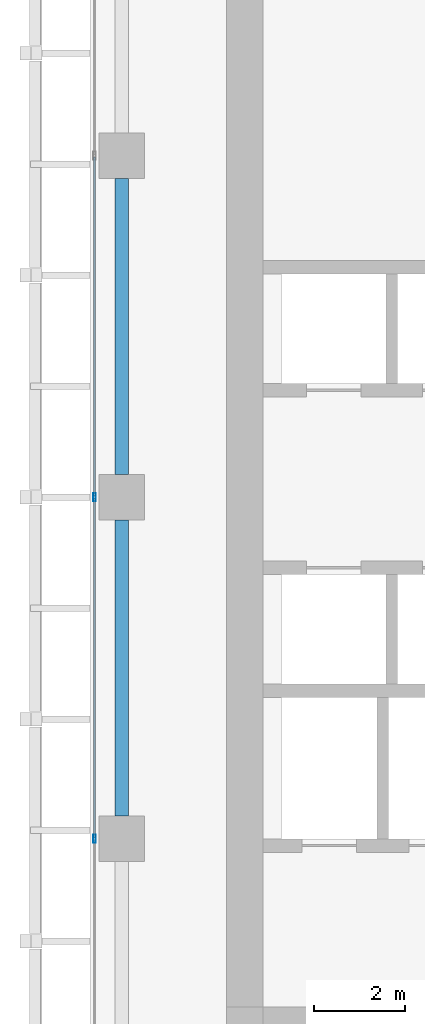
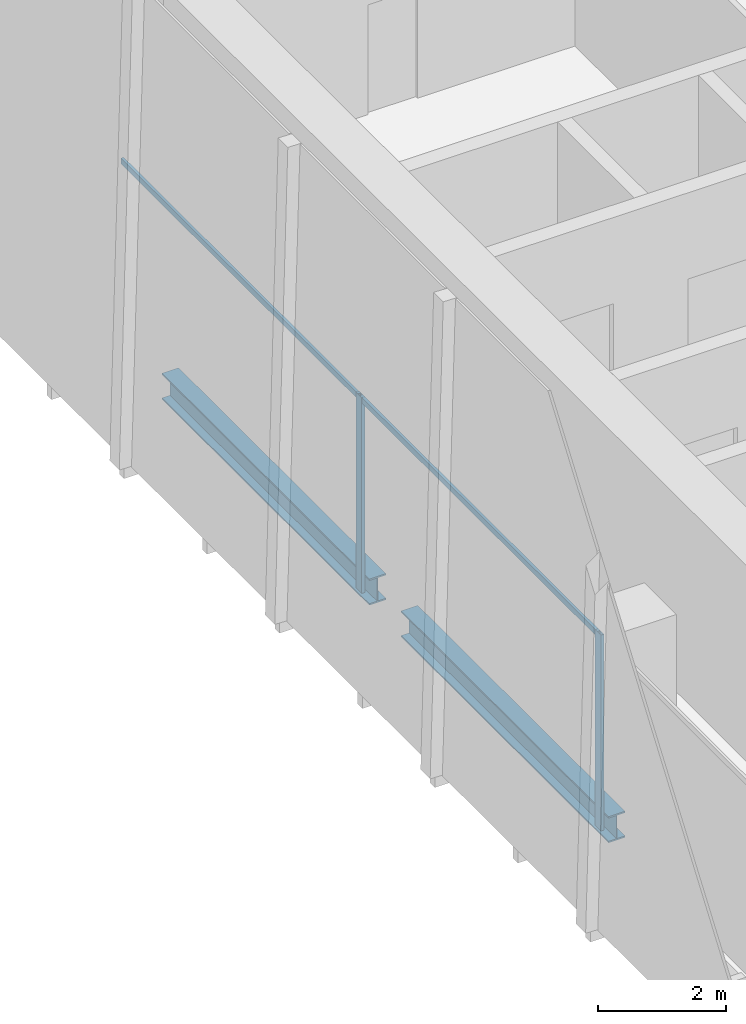
# One storey, part 7 of 35: 4 members, 2 beams, 1 element without a shape of its own.
"""IFC4 building model written with IfcOpenShell, lengths in metres."""

import ifcopenshell
import ifcopenshell.guid

model = None  # the IFC model being written
_history = None  # IfcOwnerHistory: only IFC2X3 demands one
_inside = {}  # id of a spatial element -> (the spatial element, [elements in it])
_under = {}  # id of a project, library or spatial element -> (it, [spatial elements below it])
_declared = {}  # id of a project -> (the project, [libraries it declares])
_typed = {}  # id of a type object -> (the type object, [elements of that type])
_made_of = {}  # id of a material, layer set ... -> (it, [elements and type objects made of it])


def new_model(schema):
    """Start an empty IFC model of exactly this schema.

    Asked for "IFC4X3", IfcOpenShell would pick the latest addendum, in which some entities
    have other attributes; the version numbers below select the first issue.
    IFC2X3 requires an IfcOwnerHistory on every rooted entity: one is made here for all.
    """
    global model, _history
    if schema == "IFC4X3":
        model = ifcopenshell.file(schema_version=(4, 3, 0, 0))
    else:
        model = ifcopenshell.file(schema=schema)
    _inside.clear()
    _under.clear()
    _declared.clear()
    _typed.clear()
    _made_of.clear()
    _history = None
    if model.schema == "IFC2X3":
        org = make("IfcOrganization", Name="unknown")
        user = make(
            "IfcPersonAndOrganization",
            ThePerson=make("IfcPerson", FamilyName="unknown"),
            TheOrganization=org,
        )
        app = make(
            "IfcApplication",
            ApplicationDeveloper=org,
            Version="unknown",
            ApplicationFullName="unknown",
            ApplicationIdentifier="unknown",
        )
        _history = make(
            "IfcOwnerHistory",
            OwningUser=user,
            OwningApplication=app,
            ChangeAction="ADDED",
            CreationDate=0,
        )
    return model


def make(cls, **values):
    """One entity of the class cls with the attributes given. An attribute that is None is left unset."""
    return model.create_entity(
        cls, **{name: value for name, value in values.items() if value is not None}
    )


def rooted(cls, **values):
    """An entity with a GlobalId (a new one), such as an element, a storey or a relation."""
    return make(cls, GlobalId=ifcopenshell.guid.new(), OwnerHistory=_history, **values)


def si_unit(unit_type, name, prefix=None):
    """IfcSIUnit, for example si_unit("LENGTHUNIT", "METRE", prefix="MILLI")."""
    return make("IfcSIUnit", UnitType=unit_type, Prefix=prefix, Name=name)


def assignment(units):
    """IfcUnitAssignment: the units of a project."""
    return None if units is None else make("IfcUnitAssignment", Units=units)


def point(xyz):
    """IfcCartesianPoint."""
    return None if xyz is None else make("IfcCartesianPoint", Coordinates=xyz)


def direction(xyz):
    """IfcDirection."""
    return None if xyz is None else make("IfcDirection", DirectionRatios=xyz)


def frame(location, z_axis=None, x_axis=None):
    """IfcAxis2Placement3D, a coordinate frame: its origin and axes. An axis left out is left unset."""
    return make(
        "IfcAxis2Placement3D",
        Location=point(location),
        Axis=direction(z_axis),
        RefDirection=direction(x_axis),
    )


def frame_2d(location, x_axis=None):
    """IfcAxis2Placement2D, a coordinate frame in the plane: its origin and x axis."""
    return make(
        "IfcAxis2Placement2D", Location=point(location), RefDirection=direction(x_axis)
    )


def origin():
    """The frame at (0, 0, 0) with its axes left unset."""
    return frame((0.0, 0.0, 0.0))


def origin_2d():
    """The frame at (0, 0) in the plane with its x axis left unset."""
    return frame_2d((0.0, 0.0))


def place(relative_to, where):
    """IfcLocalPlacement: puts the frame where relative to a parent placement (None: the world)."""
    return make(
        "IfcLocalPlacement", PlacementRelTo=relative_to, RelativePlacement=where
    )


def context(
    kind, dimensions, precision=None, world=None, true_north=None, identifier=None
):
    """IfcGeometricRepresentationContext, for example the 3D "Model" context."""
    return make(
        "IfcGeometricRepresentationContext",
        ContextIdentifier=identifier,
        ContextType=kind,
        CoordinateSpaceDimension=dimensions,
        Precision=precision,
        WorldCoordinateSystem=world,
        TrueNorth=true_north,
    )


def subcontext(parent, identifier, kind, view, scale=None):
    """IfcGeometricRepresentationSubContext, for example "Body" below "Model"."""
    return make(
        "IfcGeometricRepresentationSubContext",
        ContextIdentifier=identifier,
        ContextType=kind,
        ParentContext=parent,
        TargetScale=scale,
        TargetView=view,
    )


def project(units=None, contexts=None):
    """IfcProject with its units and contexts."""
    return rooted(
        "IfcProject",
        Name="project",
        RepresentationContexts=contexts,
        UnitsInContext=assignment(units),
    )


def spatial(cls, under=None, at=None, **own):
    """A site, building, storey or space (cls), placed at a placement, below another one or the project."""
    s = rooted(cls, ObjectPlacement=at, **own)
    if under is not None:
        _under.setdefault(under.id(), (under, []))[1].append(s)
    return s


def profile(cls, at=None, kind="AREA", **sizes):
    """A parametric profile (cls). Its sizes go by their IFC names, for example OverallWidth=200.0."""
    return make(cls, ProfileType=kind, Position=at, **sizes)


def hollow_rectangle(**sizes):
    """IfcRectangleHollowProfileDef."""
    return profile("IfcRectangleHollowProfileDef", **sizes)


def i_section(**sizes):
    """IfcIShapeProfileDef."""
    return profile("IfcIShapeProfileDef", **sizes)


def extrude(swept, where, along, depth):
    """IfcExtrudedAreaSolid: the profile swept, set in the frame where, extruded along a direction by depth."""
    return make(
        "IfcExtrudedAreaSolid",
        SweptArea=swept,
        Position=where,
        ExtrudedDirection=direction(along),
        Depth=depth,
    )


def shape(context_of_items, identifier, shape_type, items):
    """IfcShapeRepresentation: the items that make up one representation, for example the "Body"."""
    return make(
        "IfcShapeRepresentation",
        ContextOfItems=context_of_items,
        RepresentationIdentifier=identifier,
        RepresentationType=shape_type,
        Items=items,
    )


def source(mapping_origin, context_of_items, identifier, shape_type, items):
    """IfcRepresentationMap: a shape defined once, which mapped items show again and again."""
    return make(
        "IfcRepresentationMap",
        MappingOrigin=mapping_origin,
        MappedRepresentation=shape(context_of_items, identifier, shape_type, items),
    )


def transform(
    local_origin,
    x_axis=None,
    y_axis=None,
    z_axis=None,
    scale=None,
    scale2=None,
    scale3=None,
    uniform=True,
):
    """IfcCartesianTransformationOperator3D, or its non-uniform kind. x_axis, y_axis, z_axis: its Axis1, 2, 3."""
    if uniform:
        return make(
            "IfcCartesianTransformationOperator3D",
            Axis1=direction(x_axis),
            Axis2=direction(y_axis),
            LocalOrigin=point(local_origin),
            Scale=scale,
            Axis3=direction(z_axis),
        )
    return make(
        "IfcCartesianTransformationOperator3DnonUniform",
        Axis1=direction(x_axis),
        Axis2=direction(y_axis),
        LocalOrigin=point(local_origin),
        Scale=scale,
        Axis3=direction(z_axis),
        Scale2=scale2,
        Scale3=scale3,
    )


def mapped(mapping_source, mapping_target):
    """IfcMappedItem: shows the shape of a source again, moved by a transform."""
    return make(
        "IfcMappedItem", MappingSource=mapping_source, MappingTarget=mapping_target
    )


def material(Name=None, Category=None):
    """IfcMaterial."""
    return make("IfcMaterial", Name=Name, Category=Category)


def material_profile(
    of_material, cross_section, Name=None, Category=None, Priority=None
):
    """IfcMaterialProfile: a cross section and its material."""
    return make(
        "IfcMaterialProfile",
        Name=Name,
        Material=of_material,
        Profile=cross_section,
        Priority=Priority,
        Category=Category,
    )


def profile_set(profiles, Name=None, composite=None):
    """IfcMaterialProfileSet."""
    return make(
        "IfcMaterialProfileSet",
        Name=Name,
        MaterialProfiles=profiles,
        CompositeProfile=composite,
    )


def made_of(thing, what):
    """Note that an element or type object is made of a material, layer set ...; save() writes the relation."""
    if what is not None:
        _made_of.setdefault(what.id(), (what, []))[1].append(thing)
    return thing


def type_object(cls, material=None, **own):
    """A type object (cls), such as IfcWallType, which elements share."""
    return made_of(rooted(cls, **own), material)


def element(
    cls,
    number,
    at=None,
    inside=None,
    cuts=None,
    type_object=None,
    material=None,
    context=None,
    identifier="Body",
    shape_type=None,
    held_by="IfcProductDefinitionShape",
    body=None,
    shapes=None,
    **own,
):
    """One element of the class cls, such as IfcWall. Its Tag is "e" and its number.

    at: its placement. inside: the storey or other place that contains it. cuts: it is an
    opening in that element (IfcRelVoidsElement). A single representation is given by context,
    identifier, shape_type and body (its items); several are given by shapes. held_by: the class
    of the entity that holds the representations. save() writes the other relations.
    """
    e = rooted(cls, Tag="e%d" % number, ObjectPlacement=at, **own)
    if body is not None:
        shapes = [shape(context, identifier, shape_type, body)]
    if shapes is not None:
        e.Representation = make(held_by, Representations=shapes)
    if inside is not None:
        _inside.setdefault(inside.id(), (inside, []))[1].append(e)
    if cuts is not None:
        rooted(
            "IfcRelVoidsElement", RelatingBuildingElement=cuts, RelatedOpeningElement=e
        )
    if type_object is not None:
        _typed.setdefault(type_object.id(), (type_object, []))[1].append(e)
    return made_of(e, material)


def aggregate(whole, parts):
    """IfcRelAggregates: a whole, such as a stair, and the parts it consists of."""
    return rooted("IfcRelAggregates", RelatingObject=whole, RelatedObjects=parts)


def save(model, path):
    """Write the relations noted so far, then the file.

    IfcRelAggregates (storeys below a building ...), IfcRelContainedInSpatialStructure (elements
    in a storey), IfcRelDefinesByType, IfcRelAssociatesMaterial and IfcRelDeclares: one each for
    every whole, place, type object, material and project.
    """
    for whole, parts in _under.values():
        aggregate(whole, parts)
    for where, things in _inside.values():
        rooted(
            "IfcRelContainedInSpatialStructure",
            RelatedElements=things,
            RelatingStructure=where,
        )
    for kind, things in _typed.values():
        rooted("IfcRelDefinesByType", RelatedObjects=things, RelatingType=kind)
    for what, things in _made_of.values():
        rooted("IfcRelAssociatesMaterial", RelatedObjects=things, RelatingMaterial=what)
    for by, libraries in _declared.values():
        rooted("IfcRelDeclares", RelatingContext=by, RelatedDefinitions=libraries)
    model.write(path)


model = new_model("IFC4")

# Units and contexts
model_context = context("Model", 3, precision=1e-05, world=origin(), true_north=direction((0.0, 1.0)))
body_context = subcontext(model_context, "Body", "Model", "MODEL_VIEW")
ifc_project = project(units=[si_unit("LENGTHUNIT", "METRE"), si_unit("AREAUNIT", "SQUARE_METRE"), si_unit("VOLUMEUNIT", "CUBIC_METRE"), si_unit("PLANEANGLEUNIT", "RADIAN"), si_unit("MASSUNIT", "GRAM", prefix="KILO")], contexts=[model_context])

# Site, building, storey
site_placement = place(None, origin())
site = spatial("IfcSite", under=ifc_project, at=site_placement, CompositionType="ELEMENT")
building_placement = place(site_placement, origin())
building = spatial("IfcBuilding", under=site, at=building_placement, Name="Khomas Fold Tower", CompositionType="ELEMENT")
storey_placement = place(building_placement, frame((0.0, 0.0, 212.699951171875)))
storey = spatial("IfcBuildingStorey", under=building, at=storey_placement, Name="L47", CompositionType="ELEMENT", Elevation=212.699951171875)

# Beams
ifc_material_1 = material(Name="Steel S355", Category="steel")
ifc_material_profile_1 = material_profile(ifc_material_1, i_section(OverallWidth=0.300048828125, OverallDepth=0.5, WebThickness=0.014404296875, FlangeThickness=0.028076171875, at=origin_2d()), Name="HE 500 B")
ifc_profile_set_1 = profile_set([ifc_material_profile_1], Name="Steel S355")
beam_type = type_object("IfcBeamType", Name="HE 500 B spandrel SB3", PredefinedType="SPANDREL", material=ifc_profile_set_1)
shared_shape_1 = source(origin(), body_context, "Body", "SweptSolid", [
    extrude(i_section(OverallWidth=0.300048828125, OverallDepth=0.5, WebThickness=0.014404296875, FlangeThickness=0.028076171875, at=origin_2d()), origin(), (0.0, 0.0, 1.0), 6.5),
])
for number, where, z_axis, x_axis, name in (
    (1, (3.699951171875, 27.5, -0.5), (0.0, 1.0, 0.0), (-1.0, 0.0, 0.0), "SB3"),
    (2, (3.699951171875, 20.0, -0.5), (0.0, 1.0, 0.0), (-1.0, 0.0, 0.0), "SB3"),
):
    element("IfcBeam", number, at=place(storey_placement, frame(where, z_axis=z_axis, x_axis=x_axis)), inside=storey, type_object=beam_type, Name=name, PredefinedType="SPANDREL", context=body_context, shape_type="MappedRepresentation", body=[
        mapped(shared_shape_1, transform((0.0, 0.0, 0.0))),
    ])

# Curtain wall, members
ifc_material_2 = material(Name="Aluminium framed double glazing", Category="aluminium")
curtain_wall_type = type_object("IfcCurtainWallType", Name="SK-Unitised clear-glass wall, office floors CW2", PredefinedType="NOTDEFINED", material=ifc_material_2)
curtain_wall_placement = place(storey_placement, origin())
curtain_wall = element("IfcCurtainWall", 3, at=curtain_wall_placement, inside=storey, type_object=curtain_wall_type, Name="CW2 run L47 09-0", PredefinedType="NOTDEFINED")
ifc_material_3 = material(Name="Aluminium", Category="aluminium")
ifc_material_profile_2 = material_profile(ifc_material_3, hollow_rectangle(XDim=0.06005859375, YDim=0.179931640625, WallThickness=0.00390625, at=origin_2d()), Name="SK-Unitised clear-glass wall, office floors mullion CW2-M")
ifc_profile_set_2 = profile_set([ifc_material_profile_2], Name="Aluminium")
member_type_1 = type_object("IfcMemberType", Name="SK-Unitised clear-glass wall, office floors mullion CW2-M", PredefinedType="MULLION", material=ifc_profile_set_2)
shared_shape_2 = source(origin(), body_context, "Body", "SweptSolid", [
    extrude(hollow_rectangle(XDim=0.06005859375, YDim=0.179931640625, WallThickness=0.00390625, at=origin_2d()), origin(), (0.0, 0.0, 1.0), 3.75),
])
member_1_placement = place(storey_placement, frame((3.10009765625, 27.0, 0.0), z_axis=(0.0, 0.0, 1.0), x_axis=(1.0, 0.0, 0.0)))
member_1 = element("IfcMember", 4, at=member_1_placement, type_object=member_type_1, Name="CW2 mullion 5", PredefinedType="MULLION", context=body_context, shape_type="MappedRepresentation", body=[
    mapped(shared_shape_2, transform((0.0, 0.0, 0.0))),
])
member_2_placement = place(storey_placement, frame((3.10009765625, 19.5, 0.0), z_axis=(0.0, 0.0, 1.0), x_axis=(1.0, 0.0, 0.0)))
member_2 = element("IfcMember", 5, at=member_2_placement, type_object=member_type_1, Name="CW2 mullion 6", PredefinedType="MULLION", context=body_context, shape_type="MappedRepresentation", body=[
    mapped(shared_shape_2, transform((0.0, 0.0, 0.0))),
])
ifc_material_4 = material(Name="Aluminium", Category="aluminium")
ifc_material_profile_3 = material_profile(ifc_material_4, hollow_rectangle(XDim=0.050048828125, YDim=0.110107421875, WallThickness=0.00390625, at=origin_2d()), Name="SK-Unitised clear-glass wall, office floors transom CW2-T")
ifc_profile_set_3 = profile_set([ifc_material_profile_3], Name="Aluminium")
member_type_2 = type_object("IfcMemberType", Name="SK-Unitised clear-glass wall, office floors transom CW2-T", PredefinedType="USERDEFINED", material=ifc_profile_set_3)
shared_shape_3 = source(origin(), body_context, "Body", "SweptSolid", [
    extrude(hollow_rectangle(XDim=0.050048828125, YDim=0.110107421875, WallThickness=0.00390625, at=origin_2d()), origin(), (0.0, 0.0, 1.0), 7.43994140625),
])
member_3_placement = place(storey_placement, frame((3.10009765625, 34.469970703125, 3.695068359375), z_axis=(0.0, -1.0, 0.0), x_axis=(1.0, 0.0, 0.0)))
member_3 = element("IfcMember", 6, at=member_3_placement, type_object=member_type_2, Name="CW2 transom 4", ObjectType="TRANSOM", PredefinedType="USERDEFINED", context=body_context, shape_type="MappedRepresentation", body=[
    mapped(shared_shape_3, transform((0.0, 0.0, 0.0))),
])
member_4_placement = place(storey_placement, frame((3.10009765625, 26.969970703125, 3.695068359375), z_axis=(0.0, -1.0, 0.0), x_axis=(1.0, 0.0, 0.0)))
member_4 = element("IfcMember", 7, at=member_4_placement, type_object=member_type_2, Name="CW2 transom 5", ObjectType="TRANSOM", PredefinedType="USERDEFINED", context=body_context, shape_type="MappedRepresentation", body=[
    mapped(shared_shape_3, transform((0.0, 0.0, 0.0))),
])
aggregate(curtain_wall, [member_1, member_2, member_3, member_4])

save(model, "model.ifc")
